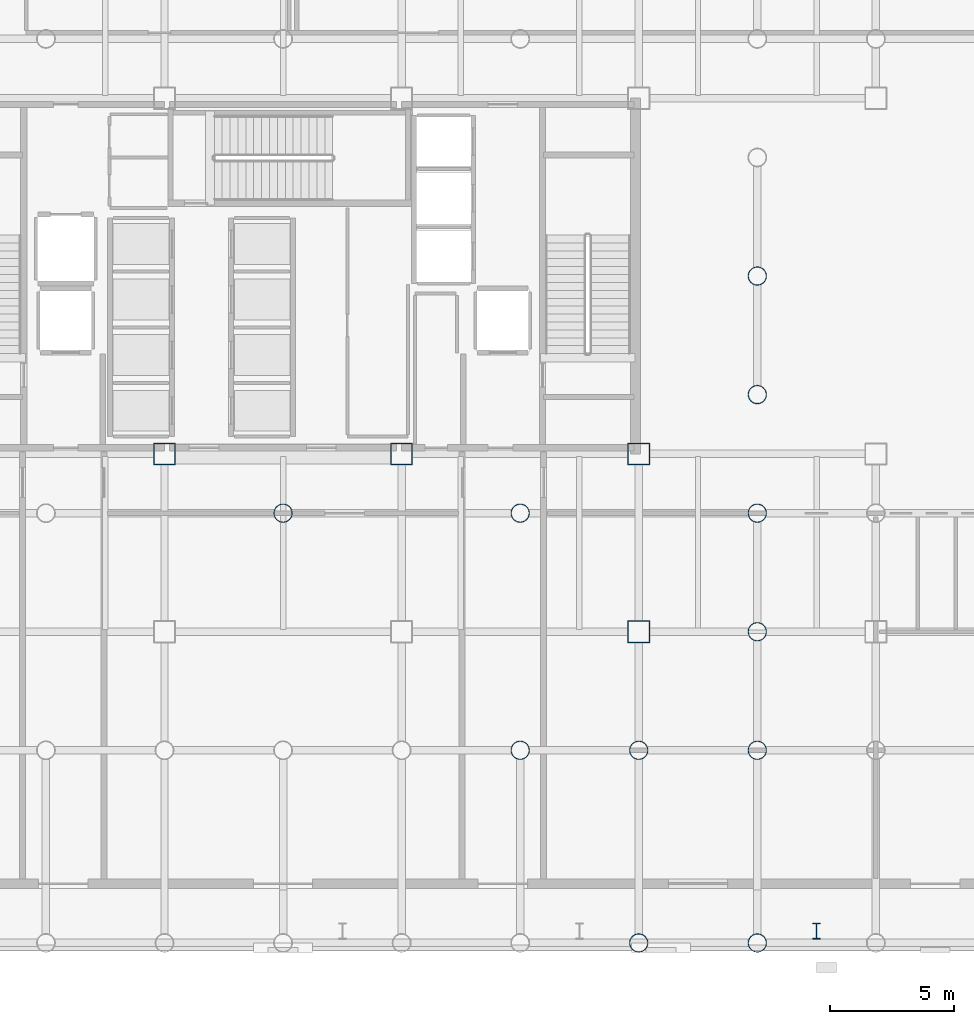
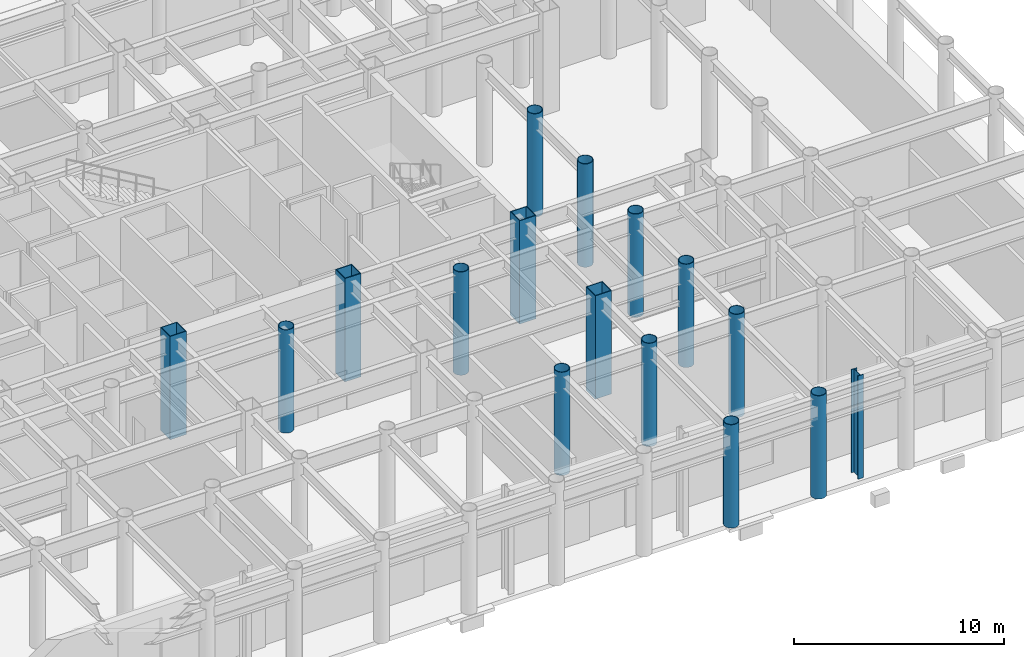
# One storey, part 3 of 23: 16 columns.
"""IFC4 building model written with IfcOpenShell, lengths in metres."""

from ifc_helpers import new_model, si_unit, direction, frame, origin, origin_2d, place, context, subcontext, project, spatial, hollow_rectangle, hollow_circle, i_section, extrude, material, material_profile, profile_set, type_object, element, save


model = new_model("IFC4")

# Units and contexts
model_context = context("Model", 3, precision=1e-05, world=origin(), true_north=direction((0.0, 1.0)))
body_context = subcontext(model_context, "Body", "Model", "MODEL_VIEW")
ifc_project = project(units=[si_unit("LENGTHUNIT", "METRE"), si_unit("AREAUNIT", "SQUARE_METRE"), si_unit("VOLUMEUNIT", "CUBIC_METRE"), si_unit("PLANEANGLEUNIT", "RADIAN"), si_unit("MASSUNIT", "GRAM", prefix="KILO")], contexts=[model_context])

# Site, building, storey
site_placement = place(None, origin())
site = spatial("IfcSite", under=ifc_project, at=site_placement, CompositionType="ELEMENT")
building_placement = place(site_placement, origin())
building = spatial("IfcBuilding", under=site, at=building_placement, Name="Kallvorn Hotel Tower", CompositionType="ELEMENT")
storey_placement = place(building_placement, origin())
storey = spatial("IfcBuildingStorey", under=building, at=storey_placement, Name="L00", CompositionType="ELEMENT", Elevation=0.0)

# Columns
ifc_material_1 = material(Name="Structural steel S355J2H", Category="steel")
ifc_material_profile_1 = material_profile(ifc_material_1, hollow_circle(Radius=0.381103515625, WallThickness=0.031982421875, at=origin_2d()), Name="CHS 762x32")
ifc_profile_set_1 = profile_set([ifc_material_profile_1], Name="Structural steel S355J2H")
column_type_1 = type_object("IfcColumnType", Name="COL_CHS_762", PredefinedType="COLUMN", material=ifc_profile_set_1)
for number, where, z_axis, x_axis, name in (
    (1, (0.0, -9.60009765625, 0.0), (0.0, 0.0, 1.0), (1.0, 0.0, 0.0), "L00 Exoskeleton Column EC56"),
    (2, (9.60009765625, -19.199951171875, 0.0), (0.0, 0.0, 1.0), (1.0, 0.0, 0.0), "L00 Exoskeleton Column EC65"),
    (3, (9.60009765625, -9.60009765625, 0.0), (0.0, 0.0, 1.0), (1.0, 0.0, 0.0), "L00 Exoskeleton Column EC66"),
    (4, (14.39990234375, -27.0, 0.0), (0.0, 0.0, 1.0), (1.0, 0.0, 0.0), "L00 Exoskeleton Column EC70"),
    (5, (14.39990234375, -19.199951171875, 0.0), (0.0, 0.0, 1.0), (1.0, 0.0, 0.0), "L00 Exoskeleton Column EC71"),
    (6, (19.199951171875, -27.0, 0.0), (0.0, 0.0, 1.0), (1.0, 0.0, 0.0), "L00 Exoskeleton Column EC74"),
    (7, (19.199951171875, -19.199951171875, 0.0), (0.0, 0.0, 1.0), (1.0, 0.0, 0.0), "L00 Exoskeleton Column EC75"),
    (8, (19.199951171875, -14.39990234375, 0.0), (0.0, 0.0, 1.0), (1.0, 0.0, 0.0), "L00 Exoskeleton Column EC76"),
    (9, (19.199951171875, -9.60009765625, 0.0), (0.0, 0.0, 1.0), (1.0, 0.0, 0.0), "L00 Exoskeleton Column EC77"),
    (10, (19.199951171875, -4.800048828125, 0.0), (0.0, 0.0, 1.0), (1.0, 0.0, 0.0), "L00 Exoskeleton Column EC78"),
    (11, (19.199951171875, 0.0, 0.0), (0.0, 0.0, 1.0), (1.0, 0.0, 0.0), "L00 Exoskeleton Column EC79"),
):
    element("IfcColumn", number, at=place(storey_placement, frame(where, z_axis=z_axis, x_axis=x_axis)), inside=storey, type_object=column_type_1, Name=name, PredefinedType="COLUMN", context=body_context, shape_type="SweptSolid", body=[
        extrude(hollow_circle(Radius=0.381103515625, WallThickness=0.031982421875, at=origin_2d()), origin(), (0.0, 0.0, 1.0), 6.0),
    ])
ifc_material_2 = material(Name="Structural steel S355J2H", Category="steel")
ifc_material_profile_2 = material_profile(ifc_material_2, hollow_rectangle(XDim=0.89990234375, YDim=0.89990234375, WallThickness=0.0400390625, at=origin_2d()), Name="RHS 900x900x40")
ifc_profile_set_2 = profile_set([ifc_material_profile_2], Name="Structural steel S355J2H")
column_type_2 = type_object("IfcColumnType", Name="COL_RHS_900", PredefinedType="COLUMN", material=ifc_profile_set_2)
for number, where, z_axis, x_axis, name in (
    (12, (-4.800048828125, -7.199951171875, 0.0), (0.0, 0.0, 1.0), (1.0, 0.0, 0.0), "L00 Inner Column IC10"),
    (13, (4.800048828125, -7.199951171875, 0.0), (0.0, 0.0, 1.0), (1.0, 0.0, 0.0), "L00 Inner Column IC14"),
    (14, (14.39990234375, -14.39990234375, 0.0), (0.0, 0.0, 1.0), (1.0, 0.0, 0.0), "L00 Inner Column IC17"),
    (15, (14.39990234375, -7.199951171875, 0.0), (0.0, 0.0, 1.0), (1.0, 0.0, 0.0), "L00 Inner Column IC18"),
):
    element("IfcColumn", number, at=place(storey_placement, frame(where, z_axis=z_axis, x_axis=x_axis)), inside=storey, type_object=column_type_2, Name=name, PredefinedType="COLUMN", context=body_context, shape_type="SweptSolid", body=[
        extrude(hollow_rectangle(XDim=0.89990234375, YDim=0.89990234375, WallThickness=0.0400390625, at=origin_2d()), origin(), (0.0, 0.0, 1.0), 6.0),
    ])
ifc_material_3 = material(Name="Structural steel S355JR", Category="steel")
ifc_material_profile_3 = material_profile(ifc_material_3, i_section(OverallWidth=0.300048828125, OverallDepth=0.64990234375, WebThickness=0.01611328125, FlangeThickness=0.031005859375, at=origin_2d()), Name="HE 650 B")
ifc_profile_set_3 = profile_set([ifc_material_profile_3], Name="Structural steel S355JR")
column_type_3 = type_object("IfcColumnType", Name="PILASTER_HE650B", PredefinedType="PILASTER", material=ifc_profile_set_3)
column_placement = place(storey_placement, frame((21.60009765625, -26.52001953125, 0.0), z_axis=(0.0, 0.0, 1.0), x_axis=(1.0, 0.0, 0.0)))
element("IfcColumn", 16, at=column_placement, inside=storey, type_object=column_type_3, Name="L00 Chicago Colonnade Pilaster 05", PredefinedType="PILASTER", context=body_context, shape_type="SweptSolid", body=[
    extrude(i_section(OverallWidth=0.300048828125, OverallDepth=0.64990234375, WebThickness=0.01611328125, FlangeThickness=0.031005859375, at=origin_2d()), origin(), (0.0, 0.0, 1.0), 6.0),
])

save(model, "model.ifc")
